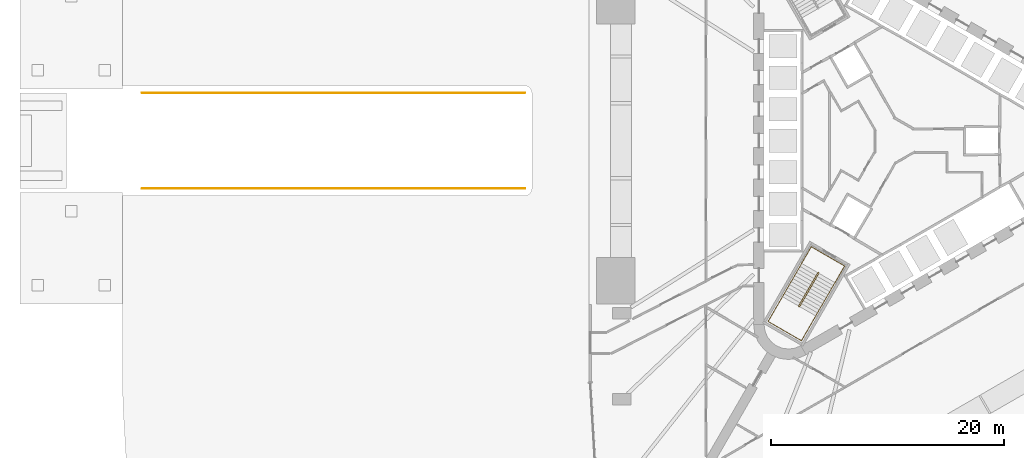
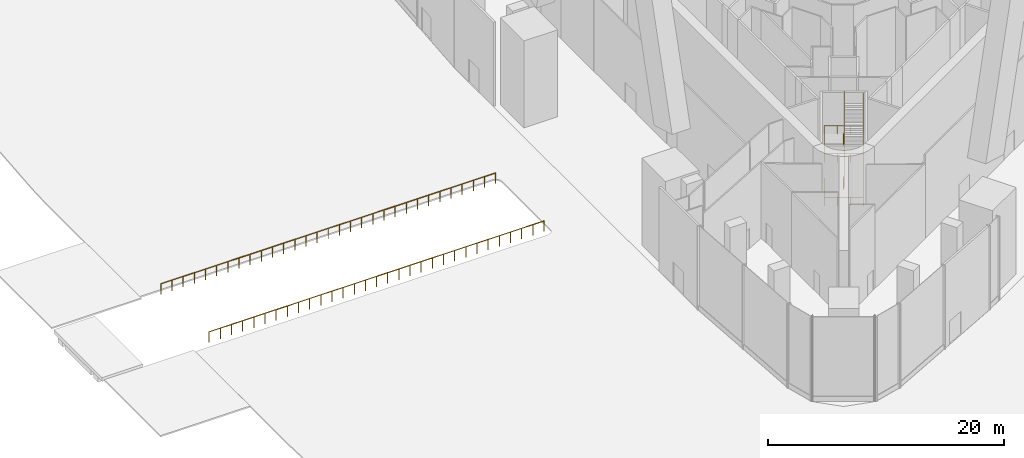
# One storey, part 20 of 22: 8 railings.
"""IFC4 building model written with IfcOpenShell, lengths in metres."""

from ifc_helpers import new_model, si_unit, direction, frame, origin, origin_2d, place, context, subcontext, project, spatial, circle, extrude, material, type_object, element, save


model = new_model("IFC4")

# Units and contexts
model_context = context("Model", 3, precision=1e-05, world=origin(), true_north=direction((0.0, 1.0)))
body_context = subcontext(model_context, "Body", "Model", "MODEL_VIEW")
ifc_project = project(units=[si_unit("LENGTHUNIT", "METRE"), si_unit("AREAUNIT", "SQUARE_METRE"), si_unit("VOLUMEUNIT", "CUBIC_METRE"), si_unit("PLANEANGLEUNIT", "RADIAN"), si_unit("MASSUNIT", "GRAM", prefix="KILO")], contexts=[model_context])

# Site, building, storey
site_placement = place(None, origin())
site = spatial("IfcSite", under=ifc_project, at=site_placement, CompositionType="ELEMENT")
building_placement = place(site_placement, origin())
building = spatial("IfcBuilding", under=site, at=building_placement, Name="Tanit Gate Tower", CompositionType="ELEMENT")
storey_placement = place(building_placement, origin())
storey = spatial("IfcBuildingStorey", under=building, at=storey_placement, Name="L00", CompositionType="ELEMENT", Elevation=0.0)

# Railings
ifc_material_1 = material(Name="Stainless steel", Category="steel")
railing_type_1 = type_object("IfcRailingType", Name="Guard 1100 stainless steel balustrade", PredefinedType="GUARDRAIL", material=ifc_material_1)
railing_1_placement = place(storey_placement, frame((-31.719970703125, -4.10009765625, 0.0)))
element("IfcRailing", 1, at=railing_1_placement, inside=storey, type_object=railing_type_1, Name="Cutting guard S", PredefinedType="GUARDRAIL", context=body_context, shape_type="SweptSolid", body=[
    extrude(circle(Radius=0.02392578125, at=origin_2d()), frame((0.0, 0.0, 1.076171875), z_axis=(-1.0, 0.0, 0.0), x_axis=(0.0, -1.0, 0.0)), (0.0, 0.0, 1.0), 10.932861328125),
    extrude(circle(Radius=0.02099609375, at=origin_2d()), origin(), (0.0, 0.0, 1.0), 1.052001953125),
    extrude(circle(Radius=0.02099609375, at=origin_2d()), frame((-1.09326171875, 0.0, 0.0)), (0.0, 0.0, 1.0), 1.052001953125),
    extrude(circle(Radius=0.02099609375, at=origin_2d()), frame((-2.1865234375, 0.0, 0.0)), (0.0, 0.0, 1.0), 1.052001953125),
    extrude(circle(Radius=0.02099609375, at=origin_2d()), frame((-3.27978515625, 0.0, 0.0)), (0.0, 0.0, 1.0), 1.052001953125),
    extrude(circle(Radius=0.02099609375, at=origin_2d()), frame((-4.373046875, 0.0, 0.0)), (0.0, 0.0, 1.0), 1.052001953125),
    extrude(circle(Radius=0.02099609375, at=origin_2d()), frame((-5.46630859375, 0.0, 0.0)), (0.0, 0.0, 1.0), 1.052001953125),
    extrude(circle(Radius=0.02099609375, at=origin_2d()), frame((-6.559814453125, 0.0, 0.0)), (0.0, 0.0, 1.0), 1.052001953125),
    extrude(circle(Radius=0.02099609375, at=origin_2d()), frame((-7.653076171875, 0.0, 0.0)), (0.0, 0.0, 1.0), 1.052001953125),
    extrude(circle(Radius=0.02099609375, at=origin_2d()), frame((-8.746337890625, 0.0, 0.0)), (0.0, 0.0, 1.0), 1.052001953125),
    extrude(circle(Radius=0.02099609375, at=origin_2d()), frame((-9.839599609375, 0.0, 0.0)), (0.0, 0.0, 1.0), 1.052001953125),
    extrude(circle(Radius=0.02099609375, at=origin_2d()), frame((-10.932861328125, 0.0, 0.0)), (0.0, 0.0, 1.0), 1.052001953125),
])
railing_2_placement = place(storey_placement, frame((-42.65283203125, -4.10009765625, 0.0)))
element("IfcRailing", 2, at=railing_2_placement, inside=storey, type_object=railing_type_1, Name="Cutting guard S", PredefinedType="GUARDRAIL", context=body_context, shape_type="SweptSolid", body=[
    extrude(circle(Radius=0.02392578125, at=origin_2d()), frame((0.0, 0.0, 1.076171875), z_axis=(-1.0, 0.0, 0.0), x_axis=(0.0, -1.0, 0.0)), (0.0, 0.0, 1.0), 10.93310546875),
    extrude(circle(Radius=0.02099609375, at=origin_2d()), origin(), (0.0, 0.0, 1.0), 1.052001953125),
    extrude(circle(Radius=0.02099609375, at=origin_2d()), frame((-1.09326171875, 0.0, 0.0)), (0.0, 0.0, 1.0), 1.052001953125),
    extrude(circle(Radius=0.02099609375, at=origin_2d()), frame((-2.1865234375, 0.0, 0.0)), (0.0, 0.0, 1.0), 1.052001953125),
    extrude(circle(Radius=0.02099609375, at=origin_2d()), frame((-3.280029296875, 0.0, 0.0)), (0.0, 0.0, 1.0), 1.052001953125),
    extrude(circle(Radius=0.02099609375, at=origin_2d()), frame((-4.373291015625, 0.0, 0.0)), (0.0, 0.0, 1.0), 1.052001953125),
    extrude(circle(Radius=0.02099609375, at=origin_2d()), frame((-5.466552734375, 0.0, 0.0)), (0.0, 0.0, 1.0), 1.052001953125),
    extrude(circle(Radius=0.02099609375, at=origin_2d()), frame((-6.559814453125, 0.0, 0.0)), (0.0, 0.0, 1.0), 1.052001953125),
    extrude(circle(Radius=0.02099609375, at=origin_2d()), frame((-7.653076171875, 0.0, 0.0)), (0.0, 0.0, 1.0), 1.052001953125),
    extrude(circle(Radius=0.02099609375, at=origin_2d()), frame((-8.74658203125, 0.0, 0.0)), (0.0, 0.0, 1.0), 1.052001953125),
    extrude(circle(Radius=0.02099609375, at=origin_2d()), frame((-9.83984375, 0.0, 0.0)), (0.0, 0.0, 1.0), 1.052001953125),
    extrude(circle(Radius=0.02099609375, at=origin_2d()), frame((-10.93310546875, 0.0, 0.0)), (0.0, 0.0, 1.0), 1.052001953125),
])
for number, where, name in (
    (3, (-53.5859375, -4.10009765625, 0.0), "Cutting guard S"),
    (4, (-31.719970703125, 4.10009765625, 0.0), "Cutting guard N"),
):
    element("IfcRailing", number, at=place(storey_placement, frame(where)), inside=storey, type_object=railing_type_1, Name=name, PredefinedType="GUARDRAIL", context=body_context, shape_type="SweptSolid", body=[
        extrude(circle(Radius=0.02392578125, at=origin_2d()), frame((0.0, 0.0, 1.076171875), z_axis=(-1.0, 0.0, 0.0), x_axis=(0.0, -1.0, 0.0)), (0.0, 0.0, 1.0), 10.932861328125),
        extrude(circle(Radius=0.02099609375, at=origin_2d()), origin(), (0.0, 0.0, 1.0), 1.052001953125),
        extrude(circle(Radius=0.02099609375, at=origin_2d()), frame((-1.09326171875, 0.0, 0.0)), (0.0, 0.0, 1.0), 1.052001953125),
        extrude(circle(Radius=0.02099609375, at=origin_2d()), frame((-2.1865234375, 0.0, 0.0)), (0.0, 0.0, 1.0), 1.052001953125),
        extrude(circle(Radius=0.02099609375, at=origin_2d()), frame((-3.27978515625, 0.0, 0.0)), (0.0, 0.0, 1.0), 1.052001953125),
        extrude(circle(Radius=0.02099609375, at=origin_2d()), frame((-4.373046875, 0.0, 0.0)), (0.0, 0.0, 1.0), 1.052001953125),
        extrude(circle(Radius=0.02099609375, at=origin_2d()), frame((-5.46630859375, 0.0, 0.0)), (0.0, 0.0, 1.0), 1.052001953125),
        extrude(circle(Radius=0.02099609375, at=origin_2d()), frame((-6.559814453125, 0.0, 0.0)), (0.0, 0.0, 1.0), 1.052001953125),
        extrude(circle(Radius=0.02099609375, at=origin_2d()), frame((-7.653076171875, 0.0, 0.0)), (0.0, 0.0, 1.0), 1.052001953125),
        extrude(circle(Radius=0.02099609375, at=origin_2d()), frame((-8.746337890625, 0.0, 0.0)), (0.0, 0.0, 1.0), 1.052001953125),
        extrude(circle(Radius=0.02099609375, at=origin_2d()), frame((-9.839599609375, 0.0, 0.0)), (0.0, 0.0, 1.0), 1.052001953125),
        extrude(circle(Radius=0.02099609375, at=origin_2d()), frame((-10.932861328125, 0.0, 0.0)), (0.0, 0.0, 1.0), 1.052001953125),
    ])
railing_3_placement = place(storey_placement, frame((-42.65283203125, 4.10009765625, 0.0)))
element("IfcRailing", 5, at=railing_3_placement, inside=storey, type_object=railing_type_1, Name="Cutting guard N", PredefinedType="GUARDRAIL", context=body_context, shape_type="SweptSolid", body=[
    extrude(circle(Radius=0.02392578125, at=origin_2d()), frame((0.0, 0.0, 1.076171875), z_axis=(-1.0, 0.0, 0.0), x_axis=(0.0, -1.0, 0.0)), (0.0, 0.0, 1.0), 10.93310546875),
    extrude(circle(Radius=0.02099609375, at=origin_2d()), origin(), (0.0, 0.0, 1.0), 1.052001953125),
    extrude(circle(Radius=0.02099609375, at=origin_2d()), frame((-1.09326171875, 0.0, 0.0)), (0.0, 0.0, 1.0), 1.052001953125),
    extrude(circle(Radius=0.02099609375, at=origin_2d()), frame((-2.1865234375, 0.0, 0.0)), (0.0, 0.0, 1.0), 1.052001953125),
    extrude(circle(Radius=0.02099609375, at=origin_2d()), frame((-3.280029296875, 0.0, 0.0)), (0.0, 0.0, 1.0), 1.052001953125),
    extrude(circle(Radius=0.02099609375, at=origin_2d()), frame((-4.373291015625, 0.0, 0.0)), (0.0, 0.0, 1.0), 1.052001953125),
    extrude(circle(Radius=0.02099609375, at=origin_2d()), frame((-5.466552734375, 0.0, 0.0)), (0.0, 0.0, 1.0), 1.052001953125),
    extrude(circle(Radius=0.02099609375, at=origin_2d()), frame((-6.559814453125, 0.0, 0.0)), (0.0, 0.0, 1.0), 1.052001953125),
    extrude(circle(Radius=0.02099609375, at=origin_2d()), frame((-7.653076171875, 0.0, 0.0)), (0.0, 0.0, 1.0), 1.052001953125),
    extrude(circle(Radius=0.02099609375, at=origin_2d()), frame((-8.74658203125, 0.0, 0.0)), (0.0, 0.0, 1.0), 1.052001953125),
    extrude(circle(Radius=0.02099609375, at=origin_2d()), frame((-9.83984375, 0.0, 0.0)), (0.0, 0.0, 1.0), 1.052001953125),
    extrude(circle(Radius=0.02099609375, at=origin_2d()), frame((-10.93310546875, 0.0, 0.0)), (0.0, 0.0, 1.0), 1.052001953125),
])
railing_4_placement = place(storey_placement, frame((-53.5859375, 4.10009765625, 0.0)))
element("IfcRailing", 6, at=railing_4_placement, inside=storey, type_object=railing_type_1, Name="Cutting guard N", PredefinedType="GUARDRAIL", context=body_context, shape_type="SweptSolid", body=[
    extrude(circle(Radius=0.02392578125, at=origin_2d()), frame((0.0, 0.0, 1.076171875), z_axis=(-1.0, 0.0, 0.0), x_axis=(0.0, -1.0, 0.0)), (0.0, 0.0, 1.0), 10.932861328125),
    extrude(circle(Radius=0.02099609375, at=origin_2d()), origin(), (0.0, 0.0, 1.0), 1.052001953125),
    extrude(circle(Radius=0.02099609375, at=origin_2d()), frame((-1.09326171875, 0.0, 0.0)), (0.0, 0.0, 1.0), 1.052001953125),
    extrude(circle(Radius=0.02099609375, at=origin_2d()), frame((-2.1865234375, 0.0, 0.0)), (0.0, 0.0, 1.0), 1.052001953125),
    extrude(circle(Radius=0.02099609375, at=origin_2d()), frame((-3.27978515625, 0.0, 0.0)), (0.0, 0.0, 1.0), 1.052001953125),
    extrude(circle(Radius=0.02099609375, at=origin_2d()), frame((-4.373046875, 0.0, 0.0)), (0.0, 0.0, 1.0), 1.052001953125),
    extrude(circle(Radius=0.02099609375, at=origin_2d()), frame((-5.46630859375, 0.0, 0.0)), (0.0, 0.0, 1.0), 1.052001953125),
    extrude(circle(Radius=0.02099609375, at=origin_2d()), frame((-6.559814453125, 0.0, 0.0)), (0.0, 0.0, 1.0), 1.052001953125),
    extrude(circle(Radius=0.02099609375, at=origin_2d()), frame((-7.653076171875, 0.0, 0.0)), (0.0, 0.0, 1.0), 1.052001953125),
    extrude(circle(Radius=0.02099609375, at=origin_2d()), frame((-8.746337890625, 0.0, 0.0)), (0.0, 0.0, 1.0), 1.052001953125),
    extrude(circle(Radius=0.02099609375, at=origin_2d()), frame((-9.839599609375, 0.0, 0.0)), (0.0, 0.0, 1.0), 1.052001953125),
    extrude(circle(Radius=0.02099609375, at=origin_2d()), frame((-10.932861328125, 0.0, 0.0)), (0.0, 0.0, 1.0), 1.052001953125),
])
ifc_material_2 = material(Name="Stainless steel balustrade", Category="steel")
railing_type_2 = type_object("IfcRailingType", Name="INT-STAIR-GUARD", PredefinedType="GUARDRAIL", material=ifc_material_2)
railing_5_placement = place(storey_placement, frame((-6.51806640625, -11.2998046875, 0.0)))
element("IfcRailing", 7, at=railing_5_placement, inside=storey, type_object=railing_type_2, Name="L00 S3 stair guard 1", PredefinedType="GUARDRAIL", context=body_context, shape_type="SweptSolid", body=[
    extrude(circle(Radius=0.02392578125, at=origin_2d()), frame((0.0, 0.0, 1.076171875), z_axis=(-0.874157276122, 0.485642931179, 0.0), x_axis=(-0.485642931179, -0.874157276122, 0.0)), (0.0, 0.0, 1.0), 0.010009765625),
    extrude(circle(Radius=0.02392578125, at=origin_2d()), frame((-0.0087890625, 0.0048828125, 1.076171875), z_axis=(-0.34113380443, -0.090156791171, 0.935681292151), x_axis=(0.255512919477, -0.966805641264, 0.0)), (0.0, 0.0, 1.0), 0.200439453125),
    extrude(circle(Radius=0.02392578125, at=origin_2d()), frame((-0.0771484375, -0.01318359375, 1.263671875), z_axis=(-0.423976462191, -0.734399003612, 0.530001946225), x_axis=(0.866040211805, -0.499974350878, 0.0)), (0.0, 0.0, 1.0), 3.8916015625),
    extrude(circle(Radius=0.02392578125, at=origin_2d()), frame((-1.72705078125, -2.87109375, 3.326171875), z_axis=(0.258736085224, -0.965948051503, 0.0), x_axis=(0.965948051503, 0.258736085224, 0.0)), (0.0, 0.0, 1.0), 0.07080078125),
    extrude(circle(Radius=0.02392578125, at=origin_2d()), frame((-1.708740234375, -2.939453125, 3.326171875), z_axis=(0.857492925713, -0.514495755428, 0.0), x_axis=(0.514495755428, 0.857492925713, 0.0)), (0.0, 0.0, 1.0), 0.010009765625),
    extrude(circle(Radius=0.02392578125, at=origin_2d()), frame((-1.7001953125, -2.944580078125, 3.326171875), z_axis=(0.341096086969, 0.091365023295, 0.935577838543), x_axis=(-0.258736085224, 0.965948051503, 0.0)), (0.0, 0.0, 1.0), 0.200439453125),
    extrude(circle(Radius=0.02392578125, at=origin_2d()), frame((-1.6318359375, -2.92626953125, 3.513671875), z_axis=(0.424027919761, 0.734379468667, 0.529987848223), x_axis=(-0.866008176907, 0.50002983664, 0.0)), (0.0, 0.0, 1.0), 3.8916015625),
    extrude(circle(Radius=0.02392578125, at=origin_2d()), frame((0.018310546875, -0.068359375, 5.576171875), z_axis=(-0.258736085224, 0.965948051503, 0.0), x_axis=(-0.965948051503, -0.258736085224, 0.0)), (0.0, 0.0, 1.0), 0.07080078125),
    extrude(circle(Radius=0.02392578125, at=origin_2d()), frame((0.0, 0.0, 5.576171875), z_axis=(-0.874157276122, 0.485642931179, 0.0), x_axis=(-0.485642931179, -0.874157276122, 0.0)), (0.0, 0.0, 1.0), 0.010009765625),
    extrude(circle(Radius=0.02392578125, at=origin_2d()), frame((-0.0087890625, 0.0048828125, 5.576171875), z_axis=(-0.34113380443, -0.090156791171, 0.935681292151), x_axis=(0.255512919477, -0.966805641264, 0.0)), (0.0, 0.0, 1.0), 0.200439453125),
    extrude(circle(Radius=0.02392578125, at=origin_2d()), frame((-0.0771484375, -0.01318359375, 5.763671875), z_axis=(-0.423976462191, -0.734399003612, 0.530001946225), x_axis=(0.866040211805, -0.499974350878, 0.0)), (0.0, 0.0, 1.0), 3.8916015625),
    extrude(circle(Radius=0.02392578125, at=origin_2d()), frame((-1.72705078125, -2.87109375, 7.826171875), z_axis=(0.258736085224, -0.965948051503, 0.0), x_axis=(0.965948051503, 0.258736085224, 0.0)), (0.0, 0.0, 1.0), 0.07080078125),
    extrude(circle(Radius=0.02392578125, at=origin_2d()), frame((-1.708740234375, -2.939453125, 7.826171875), z_axis=(0.857492925713, -0.514495755428, 0.0), x_axis=(0.514495755428, 0.857492925713, 0.0)), (0.0, 0.0, 1.0), 0.010009765625),
    extrude(circle(Radius=0.02392578125, at=origin_2d()), frame((-1.7001953125, -2.944580078125, 7.826171875), z_axis=(0.341096086969, 0.091365023295, 0.935577838543), x_axis=(-0.258736085224, 0.965948051503, 0.0)), (0.0, 0.0, 1.0), 0.200439453125),
    extrude(circle(Radius=0.02392578125, at=origin_2d()), frame((-1.6318359375, -2.92626953125, 8.013671875), z_axis=(0.424027919761, 0.734379468667, 0.529987848223), x_axis=(-0.866008176907, 0.50002983664, 0.0)), (0.0, 0.0, 1.0), 3.8916015625),
    extrude(circle(Radius=0.02099609375, at=origin_2d()), origin(), (0.0, 0.0, 1.0), 1.052001953125),
    extrude(circle(Radius=0.02099609375, at=origin_2d()), frame((-0.0087890625, 0.0048828125, 0.0)), (0.0, 0.0, 1.0), 1.052001953125),
    extrude(circle(Radius=0.02099609375, at=origin_2d()), frame((-0.0771484375, -0.01318359375, 0.1875)), (0.0, 0.0, 1.0), 1.052001953125),
    extrude(circle(Radius=0.02099609375, at=origin_2d()), frame((-0.48974609375, -0.7275390625, 0.703125)), (0.0, 0.0, 1.0), 1.052001953125),
    extrude(circle(Radius=0.02099609375, at=origin_2d()), frame((-0.902099609375, -1.442138671875, 1.21875)), (0.0, 0.0, 1.0), 1.052001953125),
    extrude(circle(Radius=0.02099609375, at=origin_2d()), frame((-1.314453125, -2.15673828125, 1.734375)), (0.0, 0.0, 1.0), 1.052001953125),
    extrude(circle(Radius=0.02099609375, at=origin_2d()), frame((-1.72705078125, -2.87109375, 2.25)), (0.0, 0.0, 1.0), 1.052001953125),
    extrude(circle(Radius=0.02099609375, at=origin_2d()), frame((-1.708740234375, -2.939453125, 2.25)), (0.0, 0.0, 1.0), 1.052001953125),
    extrude(circle(Radius=0.02099609375, at=origin_2d()), frame((-1.7001953125, -2.944580078125, 2.25)), (0.0, 0.0, 1.0), 1.052001953125),
    extrude(circle(Radius=0.02099609375, at=origin_2d()), frame((-1.6318359375, -2.92626953125, 2.4375)), (0.0, 0.0, 1.0), 1.052001953125),
    extrude(circle(Radius=0.02099609375, at=origin_2d()), frame((-1.21923828125, -2.2119140625, 2.953125)), (0.0, 0.0, 1.0), 1.052001953125),
    extrude(circle(Radius=0.02099609375, at=origin_2d()), frame((-0.806640625, -1.497314453125, 3.46875)), (0.0, 0.0, 1.0), 1.052001953125),
    extrude(circle(Radius=0.02099609375, at=origin_2d()), frame((-0.394287109375, -0.78271484375, 3.984375)), (0.0, 0.0, 1.0), 1.052001953125),
    extrude(circle(Radius=0.02099609375, at=origin_2d()), frame((0.018310546875, -0.068359375, 4.5)), (0.0, 0.0, 1.0), 1.052001953125),
    extrude(circle(Radius=0.02099609375, at=origin_2d()), frame((0.0, 0.0, 4.5)), (0.0, 0.0, 1.0), 1.052001953125),
    extrude(circle(Radius=0.02099609375, at=origin_2d()), frame((-0.0087890625, 0.0048828125, 4.5)), (0.0, 0.0, 1.0), 1.052001953125),
    extrude(circle(Radius=0.02099609375, at=origin_2d()), frame((-0.0771484375, -0.01318359375, 4.6875)), (0.0, 0.0, 1.0), 1.052001953125),
    extrude(circle(Radius=0.02099609375, at=origin_2d()), frame((-0.48974609375, -0.7275390625, 5.203125)), (0.0, 0.0, 1.0), 1.052001953125),
    extrude(circle(Radius=0.02099609375, at=origin_2d()), frame((-0.902099609375, -1.442138671875, 5.71875)), (0.0, 0.0, 1.0), 1.052001953125),
    extrude(circle(Radius=0.02099609375, at=origin_2d()), frame((-1.314453125, -2.15673828125, 6.234375)), (0.0, 0.0, 1.0), 1.052001953125),
    extrude(circle(Radius=0.02099609375, at=origin_2d()), frame((-1.72705078125, -2.87109375, 6.75)), (0.0, 0.0, 1.0), 1.052001953125),
    extrude(circle(Radius=0.02099609375, at=origin_2d()), frame((-1.708740234375, -2.939453125, 6.75)), (0.0, 0.0, 1.0), 1.052001953125),
    extrude(circle(Radius=0.02099609375, at=origin_2d()), frame((-1.7001953125, -2.944580078125, 6.75)), (0.0, 0.0, 1.0), 1.052001953125),
    extrude(circle(Radius=0.02099609375, at=origin_2d()), frame((-1.6318359375, -2.92626953125, 6.9375)), (0.0, 0.0, 1.0), 1.052001953125),
    extrude(circle(Radius=0.02099609375, at=origin_2d()), frame((-1.21923828125, -2.2119140625, 7.453125)), (0.0, 0.0, 1.0), 1.052001953125),
    extrude(circle(Radius=0.02099609375, at=origin_2d()), frame((-0.806640625, -1.497314453125, 7.96875)), (0.0, 0.0, 1.0), 1.052001953125),
    extrude(circle(Radius=0.02099609375, at=origin_2d()), frame((-0.394287109375, -0.78271484375, 8.484375)), (0.0, 0.0, 1.0), 1.052001953125),
    extrude(circle(Radius=0.02099609375, at=origin_2d()), frame((0.018310546875, -0.068359375, 9.0)), (0.0, 0.0, 1.0), 1.052001953125),
])
ifc_material_3 = material(Name="Stainless steel handrail", Category="steel")
railing_type_3 = type_object("IfcRailingType", Name="INT-STAIR-HANDRAIL", PredefinedType="HANDRAIL", material=ifc_material_3)
railing_6_placement = place(storey_placement, frame((-7.9765625, -10.515625, 0.1875)))
element("IfcRailing", 8, at=railing_6_placement, inside=storey, type_object=railing_type_3, Name="L00 S3 stair handrail 1", PredefinedType="HANDRAIL", context=body_context, shape_type="SweptSolid", body=[
    extrude(circle(Radius=0.02392578125, at=origin_2d()), frame((0.0, 0.0, 0.8759765625), z_axis=(-0.423976462191, -0.734399003612, 0.530001946225), x_axis=(0.866040211805, -0.499974350878, 0.0)), (0.0, 0.0, 1.0), 3.8916015625),
    extrude(circle(Radius=0.02392578125, at=origin_2d()), frame((-1.64990234375, -2.85791015625, 2.9384765625), z_axis=(-0.500032359733, -0.866006720078, 0.0), x_axis=(0.866006720078, -0.500032359733, 0.0)), (0.0, 0.0, 1.0), 2.454833984375),
    extrude(circle(Radius=0.02392578125, at=origin_2d()), frame((-2.87744140625, -4.98388671875, 2.9384765625), z_axis=(0.866008176907, -0.50002983664, 0.0), x_axis=(0.50002983664, 0.866008176907, 0.0)), (0.0, 0.0, 1.0), 3.300048828125),
    extrude(circle(Radius=0.02392578125, at=origin_2d()), frame((-0.01953125, -6.634033203125, 2.9384765625), z_axis=(0.498537556413, 0.863517020446, 0.076148934631), x_axis=(-0.866031582473, 0.499989298045, 0.0)), (0.0, 0.0, 1.0), 2.462158203125),
    extrude(circle(Radius=0.02392578125, at=origin_2d()), frame((1.2080078125, -4.5078125, 3.1259765625), z_axis=(0.423976462191, 0.734399003612, 0.530001946225), x_axis=(-0.866040211805, 0.499974350878, 0.0)), (0.0, 0.0, 1.0), 3.8916015625),
    extrude(circle(Radius=0.02392578125, at=origin_2d()), frame((2.85791015625, -1.64990234375, 5.1884765625), z_axis=(0.50001794124, 0.866015045157, 0.0), x_axis=(-0.866015045157, 0.50001794124, 0.0)), (0.0, 0.0, 1.0), 1.64501953125),
    extrude(circle(Radius=0.02392578125, at=origin_2d()), frame((3.680419921875, -0.225341796875, 5.1884765625), z_axis=(-0.866040211805, 0.499974350878, 0.0), x_axis=(-0.499974350878, -0.866040211805, 0.0)), (0.0, 0.0, 1.0), 3.300048828125),
    extrude(circle(Radius=0.02392578125, at=origin_2d()), frame((0.822509765625, 1.424560546875, 5.1884765625), z_axis=(-0.496801021229, -0.860443442824, 0.113251167796), x_axis=(0.866015045157, -0.50001794124, 0.0)), (0.0, 0.0, 1.0), 1.655517578125),
    extrude(circle(Radius=0.02392578125, at=origin_2d()), frame((0.0, 0.0, 5.3759765625), z_axis=(-0.423976462191, -0.734399003612, 0.530001946225), x_axis=(0.866040211805, -0.499974350878, 0.0)), (0.0, 0.0, 1.0), 3.8916015625),
    extrude(circle(Radius=0.02392578125, at=origin_2d()), frame((-1.64990234375, -2.85791015625, 7.4384765625), z_axis=(-0.500032359733, -0.866006720078, 0.0), x_axis=(0.866006720078, -0.500032359733, 0.0)), (0.0, 0.0, 1.0), 2.454833984375),
    extrude(circle(Radius=0.02392578125, at=origin_2d()), frame((-2.87744140625, -4.98388671875, 7.4384765625), z_axis=(0.866008176907, -0.50002983664, 0.0), x_axis=(0.50002983664, 0.866008176907, 0.0)), (0.0, 0.0, 1.0), 3.300048828125),
    extrude(circle(Radius=0.02392578125, at=origin_2d()), frame((-0.01953125, -6.634033203125, 7.4384765625), z_axis=(0.498537556413, 0.863517020446, 0.076148934631), x_axis=(-0.866031582473, 0.499989298045, 0.0)), (0.0, 0.0, 1.0), 2.462158203125),
    extrude(circle(Radius=0.02392578125, at=origin_2d()), frame((1.2080078125, -4.5078125, 7.6259765625), z_axis=(0.423976462191, 0.734399003612, 0.530001946225), x_axis=(-0.866040211805, 0.499974350878, 0.0)), (0.0, 0.0, 1.0), 3.8916015625),
    extrude(circle(Radius=0.02099609375, at=origin_2d()), origin(), (0.0, 0.0, 1.0), 0.851806640625),
    extrude(circle(Radius=0.02099609375, at=origin_2d()), frame((-0.41259765625, -0.71435546875, 0.515625)), (0.0, 0.0, 1.0), 0.851806640625),
    extrude(circle(Radius=0.02099609375, at=origin_2d()), frame((-0.824951171875, -1.428955078125, 1.03125)), (0.0, 0.0, 1.0), 0.851806640625),
    extrude(circle(Radius=0.02099609375, at=origin_2d()), frame((-1.2373046875, -2.1435546875, 1.546875)), (0.0, 0.0, 1.0), 0.851806640625),
    extrude(circle(Radius=0.02099609375, at=origin_2d()), frame((-1.64990234375, -2.85791015625, 2.0625)), (0.0, 0.0, 1.0), 0.851806640625),
    extrude(circle(Radius=0.02099609375, at=origin_2d()), frame((-2.05908203125, -3.566650390625, 2.0625)), (0.0, 0.0, 1.0), 0.851806640625),
    extrude(circle(Radius=0.02099609375, at=origin_2d()), frame((-2.46826171875, -4.275146484375, 2.0625)), (0.0, 0.0, 1.0), 0.851806640625),
    extrude(circle(Radius=0.02099609375, at=origin_2d()), frame((-2.87744140625, -4.98388671875, 2.0625)), (0.0, 0.0, 1.0), 0.851806640625),
    extrude(circle(Radius=0.02099609375, at=origin_2d()), frame((-1.9248046875, -5.533935546875, 2.0625)), (0.0, 0.0, 1.0), 0.851806640625),
    extrude(circle(Radius=0.02099609375, at=origin_2d()), frame((-0.97216796875, -6.083984375, 2.0625)), (0.0, 0.0, 1.0), 0.851806640625),
    extrude(circle(Radius=0.02099609375, at=origin_2d()), frame((-0.01953125, -6.634033203125, 2.0625)), (0.0, 0.0, 1.0), 0.851806640625),
    extrude(circle(Radius=0.02099609375, at=origin_2d()), frame((0.3896484375, -5.92529296875, 2.125)), (0.0, 0.0, 1.0), 0.851806640625),
    extrude(circle(Radius=0.02099609375, at=origin_2d()), frame((0.798828125, -5.216552734375, 2.1875)), (0.0, 0.0, 1.0), 0.851806640625),
    extrude(circle(Radius=0.02099609375, at=origin_2d()), frame((1.2080078125, -4.5078125, 2.25)), (0.0, 0.0, 1.0), 0.851806640625),
    extrude(circle(Radius=0.02099609375, at=origin_2d()), frame((1.62060546875, -3.79345703125, 2.765625)), (0.0, 0.0, 1.0), 0.851806640625),
    extrude(circle(Radius=0.02099609375, at=origin_2d()), frame((2.032958984375, -3.078857421875, 3.28125)), (0.0, 0.0, 1.0), 0.851806640625),
    extrude(circle(Radius=0.02099609375, at=origin_2d()), frame((2.4453125, -2.3642578125, 3.796875)), (0.0, 0.0, 1.0), 0.851806640625),
    extrude(circle(Radius=0.02099609375, at=origin_2d()), frame((2.85791015625, -1.64990234375, 4.3125)), (0.0, 0.0, 1.0), 0.851806640625),
    extrude(circle(Radius=0.02099609375, at=origin_2d()), frame((3.26904296875, -0.9375, 4.3125)), (0.0, 0.0, 1.0), 0.851806640625),
    extrude(circle(Radius=0.02099609375, at=origin_2d()), frame((3.680419921875, -0.225341796875, 4.3125)), (0.0, 0.0, 1.0), 0.851806640625),
    extrude(circle(Radius=0.02099609375, at=origin_2d()), frame((2.727783203125, 0.32470703125, 4.3125)), (0.0, 0.0, 1.0), 0.851806640625),
    extrude(circle(Radius=0.02099609375, at=origin_2d()), frame((1.775146484375, 0.87451171875, 4.3125)), (0.0, 0.0, 1.0), 0.851806640625),
    extrude(circle(Radius=0.02099609375, at=origin_2d()), frame((0.822509765625, 1.424560546875, 4.3125)), (0.0, 0.0, 1.0), 0.851806640625),
    extrude(circle(Radius=0.02099609375, at=origin_2d()), frame((0.4111328125, 0.71240234375, 4.40625)), (0.0, 0.0, 1.0), 0.851806640625),
    extrude(circle(Radius=0.02099609375, at=origin_2d()), frame((0.0, 0.0, 4.5)), (0.0, 0.0, 1.0), 0.851806640625),
    extrude(circle(Radius=0.02099609375, at=origin_2d()), frame((-0.41259765625, -0.71435546875, 5.015625)), (0.0, 0.0, 1.0), 0.851806640625),
    extrude(circle(Radius=0.02099609375, at=origin_2d()), frame((-0.824951171875, -1.428955078125, 5.53125)), (0.0, 0.0, 1.0), 0.851806640625),
    extrude(circle(Radius=0.02099609375, at=origin_2d()), frame((-1.2373046875, -2.1435546875, 6.046875)), (0.0, 0.0, 1.0), 0.851806640625),
    extrude(circle(Radius=0.02099609375, at=origin_2d()), frame((-1.64990234375, -2.85791015625, 6.5625)), (0.0, 0.0, 1.0), 0.851806640625),
    extrude(circle(Radius=0.02099609375, at=origin_2d()), frame((-2.05908203125, -3.566650390625, 6.5625)), (0.0, 0.0, 1.0), 0.851806640625),
    extrude(circle(Radius=0.02099609375, at=origin_2d()), frame((-2.46826171875, -4.275146484375, 6.5625)), (0.0, 0.0, 1.0), 0.851806640625),
    extrude(circle(Radius=0.02099609375, at=origin_2d()), frame((-2.87744140625, -4.98388671875, 6.5625)), (0.0, 0.0, 1.0), 0.851806640625),
    extrude(circle(Radius=0.02099609375, at=origin_2d()), frame((-1.9248046875, -5.533935546875, 6.5625)), (0.0, 0.0, 1.0), 0.851806640625),
    extrude(circle(Radius=0.02099609375, at=origin_2d()), frame((-0.97216796875, -6.083984375, 6.5625)), (0.0, 0.0, 1.0), 0.851806640625),
    extrude(circle(Radius=0.02099609375, at=origin_2d()), frame((-0.01953125, -6.634033203125, 6.5625)), (0.0, 0.0, 1.0), 0.851806640625),
    extrude(circle(Radius=0.02099609375, at=origin_2d()), frame((0.3896484375, -5.92529296875, 6.625)), (0.0, 0.0, 1.0), 0.851806640625),
    extrude(circle(Radius=0.02099609375, at=origin_2d()), frame((0.798828125, -5.216552734375, 6.6875)), (0.0, 0.0, 1.0), 0.851806640625),
    extrude(circle(Radius=0.02099609375, at=origin_2d()), frame((1.2080078125, -4.5078125, 6.75)), (0.0, 0.0, 1.0), 0.851806640625),
    extrude(circle(Radius=0.02099609375, at=origin_2d()), frame((1.62060546875, -3.79345703125, 7.265625)), (0.0, 0.0, 1.0), 0.851806640625),
    extrude(circle(Radius=0.02099609375, at=origin_2d()), frame((2.032958984375, -3.078857421875, 7.78125)), (0.0, 0.0, 1.0), 0.851806640625),
    extrude(circle(Radius=0.02099609375, at=origin_2d()), frame((2.4453125, -2.3642578125, 8.296875)), (0.0, 0.0, 1.0), 0.851806640625),
    extrude(circle(Radius=0.02099609375, at=origin_2d()), frame((2.85791015625, -1.64990234375, 8.8125)), (0.0, 0.0, 1.0), 0.851806640625),
])

save(model, "model.ifc")
